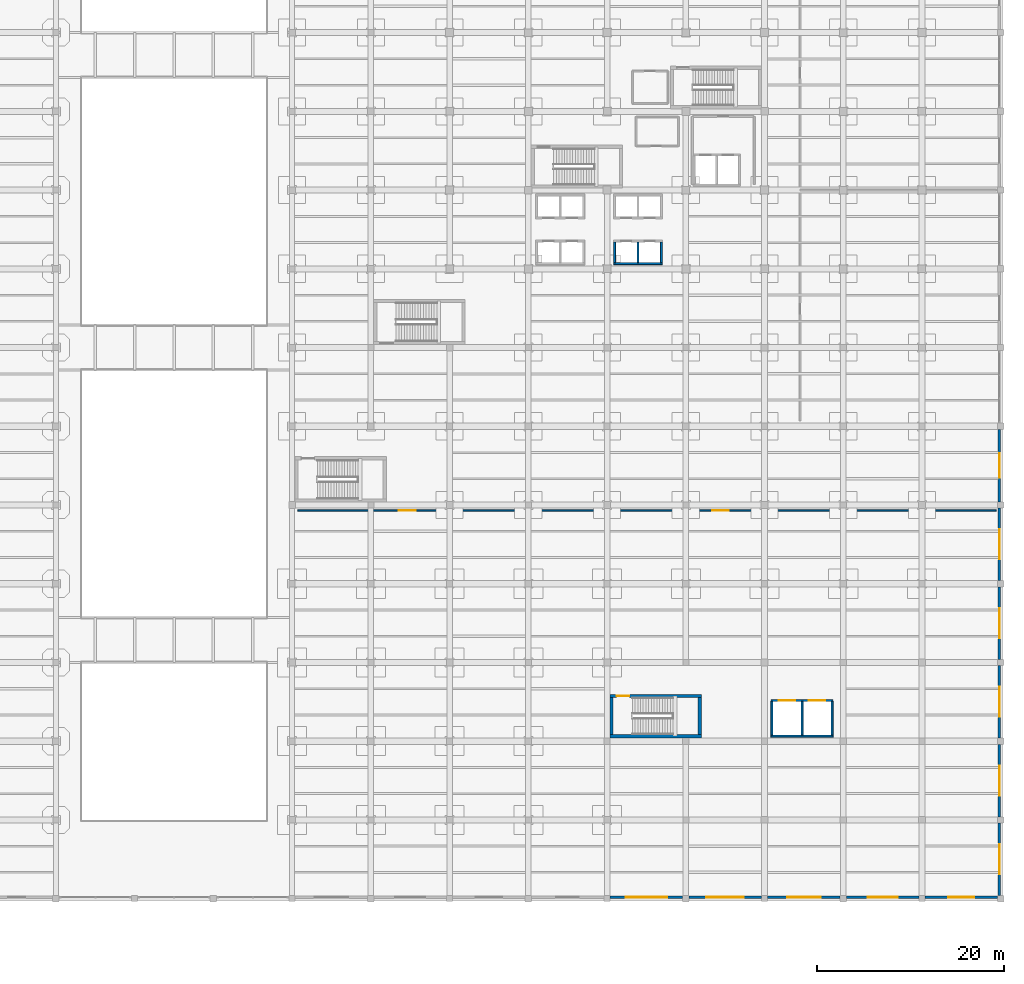
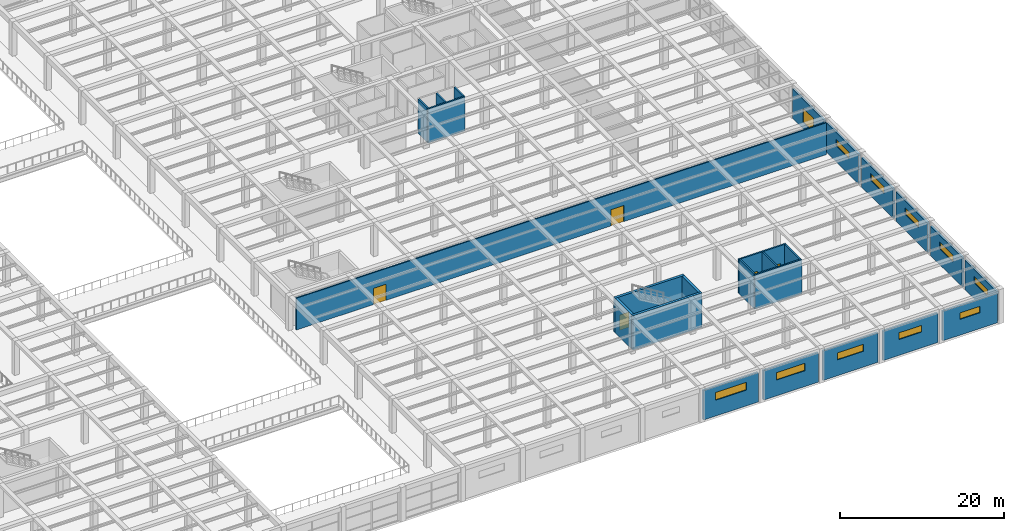
# One storey, part 81 of 96: 25 walls, 11 windows, 5 doors, 16 openings.
"""IFC4 building model written with IfcOpenShell, lengths in metres."""

from ifc_helpers import new_model, si_unit, direction, frame, frame_2d, origin, place, context, subcontext, project, spatial, rectangle, extrude, material, layer, layer_set, type_object, element, fill, save


model = new_model("IFC4")

# Units and contexts
model_context = context("Model", 3, precision=1e-05, world=origin(), true_north=direction((0.0, 1.0)))
body_context = subcontext(model_context, "Body", "Model", "MODEL_VIEW")
ifc_project = project(units=[si_unit("LENGTHUNIT", "METRE"), si_unit("AREAUNIT", "SQUARE_METRE"), si_unit("VOLUMEUNIT", "CUBIC_METRE"), si_unit("PLANEANGLEUNIT", "RADIAN"), si_unit("MASSUNIT", "GRAM", prefix="KILO")], contexts=[model_context])

# Site, building, storey
site_placement = place(None, origin())
site = spatial("IfcSite", under=ifc_project, at=site_placement, CompositionType="ELEMENT")
building_placement = place(site_placement, origin())
building = spatial("IfcBuilding", under=site, at=building_placement, Name="Almacenes y Pasaje Nevantli", CompositionType="ELEMENT")
storey_placement = place(building_placement, frame((0.0, 0.0, 6.0)))
storey = spatial("IfcBuildingStorey", under=building, at=storey_placement, Name="L02", CompositionType="ELEMENT", Elevation=6.0)

# Wall, openings, doors
ifc_material_1 = material(Name="Insulated Double-Gypsum Fire Partition", Category="gypsum")
ifc_layer_1 = layer(ifc_material_1, 0.179931640625)
ifc_layer_set_1 = layer_set([ifc_layer_1], Name="Insulated Double-Gypsum Fire Partition")
wall_type_1 = type_object("IfcWallType", Name="WL-COMP-180", PredefinedType="PARTITIONING", material=ifc_layer_set_1)
wall_1_placement = place(storey_placement, frame((93.0, 41.39990234375, 0.0), z_axis=(0.0, 0.0, 1.0), x_axis=(1.0, 0.0, 0.0)))
wall_1 = element("IfcWall", 1, at=wall_1_placement, inside=storey, type_object=wall_type_1, Name="L02 Interior Partition Wall IW-180 #65", PredefinedType="PARTITIONING", context=body_context, shape_type="SweptSolid", body=[
    extrude(rectangle(XDim=74.5, YDim=0.179931640625, at=frame_2d((37.25, 0.0))), origin(), (0.0, 0.0, 1.0), 4.719970703125),
])
opening_1_placement = place(wall_1_placement, frame((10.800048828125, 0.0, 0.0)))
opening_1 = element("IfcOpeningElement", 2, at=opening_1_placement, cuts=wall_1, Name="Opening ID-L02-030", PredefinedType="OPENING", context=body_context, shape_type="SweptSolid", body=[
    extrude(rectangle(XDim=1.800048828125, YDim=2.39990234375, at=frame_2d((0.89990234375, 1.199951171875))), frame((0.0, 0.099853515625, 0.0), z_axis=(0.0, -1.0, 0.0), x_axis=(1.0, 0.0, 0.0)), (0.0, 0.0, 1.0), 0.199951171875),
])
opening_2_placement = place(wall_1_placement, frame((44.199951171875, 0.0, 0.0)))
opening_2 = element("IfcOpeningElement", 3, at=opening_2_placement, cuts=wall_1, Name="Opening ID-L02-031", PredefinedType="OPENING", context=body_context, shape_type="SweptSolid", body=[
    extrude(rectangle(XDim=1.800048828125, YDim=2.39990234375, at=frame_2d((0.89990234375, 1.199951171875))), frame((0.0, 0.099853515625, 0.0), z_axis=(0.0, -1.0, 0.0), x_axis=(1.0, 0.0, 0.0)), (0.0, 0.0, 1.0), 0.199951171875),
])
ifc_material_2 = material(Name="Galvanized Fire-Rated Steel", Category="steel")
door_type_1 = type_object("IfcDoorType", Name="DR-FD60-1800", OperationType="DOUBLE_DOOR_SINGLE_SWING", PredefinedType="DOOR", material=ifc_material_2)
door_1_placement = place(opening_1_placement, origin())
door_1 = element("IfcDoor", 4, at=door_1_placement, inside=storey, type_object=door_type_1, Name="L02 L02 Stockroom Double Door 1", OperationType="DOUBLE_DOOR_SINGLE_SWING", OverallHeight=2.39990234375, OverallWidth=1.800048828125, PredefinedType="DOOR", context=body_context, shape_type="SweptSolid", body=[
    extrude(rectangle(XDim=1.800048828125, YDim=2.39990234375, at=frame_2d((0.89990234375, 1.199951171875))), frame((0.0, 0.02490234375, 0.0), z_axis=(0.0, -1.0, 0.0), x_axis=(1.0, 0.0, 0.0)), (0.0, 0.0, 1.0), 0.050048828125),
])
fill(opening_1, door_1)
door_2_placement = place(opening_2_placement, origin())
door_2 = element("IfcDoor", 5, at=door_2_placement, inside=storey, type_object=door_type_1, Name="L02 L02 Stockroom Double Door 2", OperationType="DOUBLE_DOOR_SINGLE_SWING", OverallHeight=2.39990234375, OverallWidth=1.800048828125, PredefinedType="DOOR", context=body_context, shape_type="SweptSolid", body=[
    extrude(rectangle(XDim=1.800048828125, YDim=2.39990234375, at=frame_2d((0.89990234375, 1.199951171875))), frame((0.0, 0.02490234375, 0.0), z_axis=(0.0, -1.0, 0.0), x_axis=(1.0, 0.0, 0.0)), (0.0, 0.0, 1.0), 0.050048828125),
])
fill(opening_2, door_2)

# Wall
ifc_material_3 = material(Name="Concrete C45/55", Category="concrete")
ifc_layer_2 = layer(ifc_material_3, 0.35009765625)
ifc_layer_set_2 = layer_set([ifc_layer_2], Name="Concrete C45/55")
wall_type_2 = type_object("IfcWallType", Name="WL-CORE-350", PredefinedType="SHEAR", material=ifc_layer_set_2)
wall_2_placement = place(storey_placement, frame((126.300048828125, 17.324951171875, 0.0), z_axis=(0.0, 0.0, 1.0), x_axis=(1.0, 0.0, 0.0)))
element("IfcWall", 6, at=wall_2_placement, inside=storey, type_object=wall_type_2, Name="L02 Exit Stair ST-06 South Core Shear Wall", PredefinedType="SHEAR", context=body_context, shape_type="SweptSolid", body=[
    extrude(rectangle(XDim=9.75, YDim=0.35009765625, at=frame_2d((4.875, 0.0))), origin(), (0.0, 0.0, 1.0), 5.10009765625),
])

# Wall, opening, door
wall_3_placement = place(storey_placement, frame((126.300048828125, 21.625, 0.0), z_axis=(0.0, 0.0, 1.0), x_axis=(1.0, 0.0, 0.0)))
wall_3 = element("IfcWall", 7, at=wall_3_placement, inside=storey, type_object=wall_type_2, Name="L02 Exit Stair ST-06 North Core Shear Wall", PredefinedType="SHEAR", context=body_context, shape_type="SweptSolid", body=[
    extrude(rectangle(XDim=9.75, YDim=0.35009765625, at=frame_2d((4.875, 0.0))), origin(), (0.0, 0.0, 1.0), 5.10009765625),
])
opening_3_placement = place(wall_3_placement, frame((0.719970703125, 0.0, 0.0)))
opening_3 = element("IfcOpeningElement", 8, at=opening_3_placement, cuts=wall_3, Name="Opening SD-06-L02", PredefinedType="OPENING", context=body_context, shape_type="SweptSolid", body=[
    extrude(rectangle(XDim=1.35009765625, YDim=2.25, at=frame_2d((0.675048828125, 1.125))), frame((0.0, 0.18505859375, 0.0), z_axis=(0.0, -1.0, 0.0), x_axis=(1.0, 0.0, 0.0)), (0.0, 0.0, 1.0), 0.3701171875),
])
ifc_material_4 = material(Name="Galvanized Fire-Rated Steel", Category="steel")
door_type_2 = type_object("IfcDoorType", Name="DR-STAIR-1350R", OperationType="SINGLE_SWING_RIGHT", PredefinedType="DOOR", material=ifc_material_4)
door_3_placement = place(opening_3_placement, origin())
door_3 = element("IfcDoor", 9, at=door_3_placement, inside=storey, type_object=door_type_2, Name="L02 Smokeproof Exit Stair ST-06 Fire Door", OperationType="SINGLE_SWING_RIGHT", OverallHeight=2.25, OverallWidth=1.35009765625, PredefinedType="DOOR", context=body_context, shape_type="SweptSolid", body=[
    extrude(rectangle(XDim=1.35009765625, YDim=2.25, at=frame_2d((0.675048828125, 1.125))), frame((0.0, 0.02490234375, 0.0), z_axis=(0.0, -1.0, 0.0), x_axis=(1.0, 0.0, 0.0)), (0.0, 0.0, 1.0), 0.050048828125),
])
fill(opening_3, door_3)

# Walls
for number, where, z_axis, x_axis, name in (
    (10, (126.47509765625, 17.5, 0.0), (0.0, 0.0, 1.0), (0.0, 1.0, 0.0), "L02 Exit Stair ST-06 West Core Shear Wall"),
    (11, (135.875, 17.5, 0.0), (0.0, 0.0, 1.0), (0.0, 1.0, 0.0), "L02 Exit Stair ST-06 East Core Shear Wall"),
):
    element("IfcWall", number, at=place(storey_placement, frame(where, z_axis=z_axis, x_axis=x_axis)), inside=storey, type_object=wall_type_2, Name=name, PredefinedType="SHEAR", context=body_context, shape_type="SweptSolid", body=[
        extrude(rectangle(XDim=3.949951171875, YDim=0.35009765625, at=frame_2d((1.97509765625, 0.0))), origin(), (0.0, 0.0, 1.0), 5.10009765625),
    ])

# Wall, opening, window
ifc_material_5 = material(Name="Architectural Precast Concrete C35/45 Spandrel Wall", Category="concrete")
ifc_layer_3 = layer(ifc_material_5, 0.280029296875)
ifc_layer_set_3 = layer_set([ifc_layer_3], Name="Architectural Precast Concrete C35/45 Spandrel Wall")
wall_type_3 = type_object("IfcWallType", Name="WL-EXT-CANTERA-280", PredefinedType="SOLIDWALL", material=ifc_layer_set_3)
wall_4_placement = place(storey_placement, frame((126.327880859375, 0.14990234375, 0.0), z_axis=(0.0, 0.0, 1.0), x_axis=(1.0, 0.0, 0.0)))
wall_4 = element("IfcWall", 12, at=wall_4_placement, inside=storey, type_object=wall_type_3, Name="L02 South Stockroom Clerestory Wall Bay 16", PredefinedType="SOLIDWALL", context=body_context, shape_type="SweptSolid", body=[
    extrude(rectangle(XDim=7.72021484375, YDim=0.280029296875, at=frame_2d((3.860107421875, 0.0))), origin(), (0.0, 0.0, 1.0), 4.3798828125),
])
opening_4_placement = place(wall_4_placement, frame((1.672119140625, 0.0, 2.35009765625)))
opening_4 = element("IfcOpeningElement", 13, at=opening_4_placement, cuts=wall_4, Name="Opening WT-20-070", PredefinedType="OPENING", context=body_context, shape_type="SweptSolid", body=[
    extrude(rectangle(XDim=4.39990234375, YDim=1.14990234375, at=frame_2d((2.199951171875, 0.574951171875))), frame((0.0, 0.14990234375, 0.0), z_axis=(0.0, -1.0, 0.0), x_axis=(1.0, 0.0, 0.0)), (0.0, 0.0, 1.0), 0.300048828125),
])
ifc_material_6 = material(Name="Thermally Broken Aluminium and Low-E Double Glazing", Category="aluminium")
window_type_1 = type_object("IfcWindowType", Name="WN-CLR-4400x1150", PartitioningType="SINGLE_PANEL", PredefinedType="WINDOW", material=ifc_material_6)
window_1_placement = place(opening_4_placement, origin())
window_1 = element("IfcWindow", 14, at=window_1_placement, inside=storey, type_object=window_type_1, Name="L02 Exterior Window WT-20 #70", OverallHeight=1.14990234375, OverallWidth=4.39990234375, PartitioningType="SINGLE_PANEL", PredefinedType="WINDOW", context=body_context, shape_type="SweptSolid", body=[
    extrude(rectangle(XDim=4.39990234375, YDim=1.14990234375, at=frame_2d((2.199951171875, 0.574951171875))), frame((0.0, 0.030029296875, 0.0), z_axis=(0.0, -1.0, 0.0), x_axis=(1.0, 0.0, 0.0)), (0.0, 0.0, 1.0), 0.06005859375),
])
fill(opening_4, window_1)

wall_5_placement = place(storey_placement, frame((134.75390625, 0.14990234375, 0.0), z_axis=(0.0, 0.0, 1.0), x_axis=(1.0, 0.0, 0.0)))
wall_5 = element("IfcWall", 15, at=wall_5_placement, inside=storey, type_object=wall_type_3, Name="L02 South Stockroom Clerestory Wall Bay 17", PredefinedType="SOLIDWALL", context=body_context, shape_type="SweptSolid", body=[
    extrude(rectangle(XDim=7.718017578125, YDim=0.280029296875, at=frame_2d((3.85888671875, 0.0))), origin(), (0.0, 0.0, 1.0), 4.3798828125),
])
opening_5_placement = place(wall_5_placement, frame((1.845947265625, 0.0, 2.35009765625)))
opening_5 = element("IfcOpeningElement", 16, at=opening_5_placement, cuts=wall_5, Name="Opening WT-21-071", PredefinedType="OPENING", context=body_context, shape_type="SweptSolid", body=[
    extrude(rectangle(XDim=4.0, YDim=1.10009765625, at=frame_2d((2.0, 0.550048828125))), frame((0.0, 0.14990234375, 0.0), z_axis=(0.0, -1.0, 0.0), x_axis=(1.0, 0.0, 0.0)), (0.0, 0.0, 1.0), 0.300048828125),
])
ifc_material_7 = material(Name="Thermally Broken Aluminium and Low-E Double Glazing", Category="aluminium")
window_type_2 = type_object("IfcWindowType", Name="WN-CLR-4000x1100", PartitioningType="SINGLE_PANEL", PredefinedType="WINDOW", material=ifc_material_7)
window_2_placement = place(opening_5_placement, origin())
window_2 = element("IfcWindow", 17, at=window_2_placement, inside=storey, type_object=window_type_2, Name="L02 Exterior Window WT-21 #71", OverallHeight=1.10009765625, OverallWidth=4.0, PartitioningType="SINGLE_PANEL", PredefinedType="WINDOW", context=body_context, shape_type="SweptSolid", body=[
    extrude(rectangle(XDim=4.0, YDim=1.10009765625, at=frame_2d((2.0, 0.550048828125))), frame((0.0, 0.030029296875, 0.0), z_axis=(0.0, -1.0, 0.0), x_axis=(1.0, 0.0, 0.0)), (0.0, 0.0, 1.0), 0.06005859375),
])
fill(opening_5, window_2)

wall_6_placement = place(storey_placement, frame((143.1279296875, 0.14990234375, 0.0), z_axis=(0.0, 0.0, 1.0), x_axis=(1.0, 0.0, 0.0)))
wall_6 = element("IfcWall", 18, at=wall_6_placement, inside=storey, type_object=wall_type_3, Name="L02 South Stockroom Clerestory Wall Bay 18", PredefinedType="SOLIDWALL", context=body_context, shape_type="SweptSolid", body=[
    extrude(rectangle(XDim=7.718017578125, YDim=0.280029296875, at=frame_2d((3.85888671875, 0.0))), origin(), (0.0, 0.0, 1.0), 4.3798828125),
])
opening_6_placement = place(wall_6_placement, frame((2.072021484375, 0.0, 2.35009765625)))
opening_6 = element("IfcOpeningElement", 19, at=opening_6_placement, cuts=wall_6, Name="Opening WT-22-072", PredefinedType="OPENING", context=body_context, shape_type="SweptSolid", body=[
    extrude(rectangle(XDim=3.60009765625, YDim=1.050048828125, at=frame_2d((1.800048828125, 0.52490234375))), frame((0.0, 0.14990234375, 0.0), z_axis=(0.0, -1.0, 0.0), x_axis=(1.0, 0.0, 0.0)), (0.0, 0.0, 1.0), 0.300048828125),
])
ifc_material_8 = material(Name="Thermally Broken Aluminium and Low-E Double Glazing", Category="aluminium")
window_type_3 = type_object("IfcWindowType", Name="WN-CLR-3600x1050", PartitioningType="SINGLE_PANEL", PredefinedType="WINDOW", material=ifc_material_8)
window_3_placement = place(opening_6_placement, origin())
window_3 = element("IfcWindow", 20, at=window_3_placement, inside=storey, type_object=window_type_3, Name="L02 Exterior Window WT-22 #72", OverallHeight=1.050048828125, OverallWidth=3.60009765625, PartitioningType="SINGLE_PANEL", PredefinedType="WINDOW", context=body_context, shape_type="SweptSolid", body=[
    extrude(rectangle(XDim=3.60009765625, YDim=1.050048828125, at=frame_2d((1.800048828125, 0.52490234375))), frame((0.0, 0.030029296875, 0.0), z_axis=(0.0, -1.0, 0.0), x_axis=(1.0, 0.0, 0.0)), (0.0, 0.0, 1.0), 0.06005859375),
])
fill(opening_6, window_3)

wall_7_placement = place(storey_placement, frame((151.552001953125, 0.14990234375, 0.0), z_axis=(0.0, 0.0, 1.0), x_axis=(1.0, 0.0, 0.0)))
wall_7 = element("IfcWall", 21, at=wall_7_placement, inside=storey, type_object=wall_type_3, Name="L02 South Stockroom Clerestory Wall Bay 19", PredefinedType="SOLIDWALL", context=body_context, shape_type="SweptSolid", body=[
    extrude(rectangle(XDim=7.719970703125, YDim=0.280029296875, at=frame_2d((3.85986328125, 0.0))), origin(), (0.0, 0.0, 1.0), 4.3798828125),
])
opening_7_placement = place(wall_7_placement, frame((2.248046875, 0.0, 2.35009765625)))
opening_7 = element("IfcOpeningElement", 22, at=opening_7_placement, cuts=wall_7, Name="Opening WT-23-073", PredefinedType="OPENING", context=body_context, shape_type="SweptSolid", body=[
    extrude(rectangle(XDim=3.199951171875, YDim=1.0, at=frame_2d((1.60009765625, 0.5))), frame((0.0, 0.14990234375, 0.0), z_axis=(0.0, -1.0, 0.0), x_axis=(1.0, 0.0, 0.0)), (0.0, 0.0, 1.0), 0.300048828125),
])
ifc_material_9 = material(Name="Thermally Broken Aluminium and Low-E Double Glazing", Category="aluminium")
window_type_4 = type_object("IfcWindowType", Name="WN-CLR-3200x1000", PartitioningType="SINGLE_PANEL", PredefinedType="WINDOW", material=ifc_material_9)
window_4_placement = place(opening_7_placement, origin())
window_4 = element("IfcWindow", 23, at=window_4_placement, inside=storey, type_object=window_type_4, Name="L02 Exterior Window WT-23 #73", OverallHeight=1.0, OverallWidth=3.199951171875, PartitioningType="SINGLE_PANEL", PredefinedType="WINDOW", context=body_context, shape_type="SweptSolid", body=[
    extrude(rectangle(XDim=3.199951171875, YDim=1.0, at=frame_2d((1.60009765625, 0.5))), frame((0.0, 0.030029296875, 0.0), z_axis=(0.0, -1.0, 0.0), x_axis=(1.0, 0.0, 0.0)), (0.0, 0.0, 1.0), 0.06005859375),
])
fill(opening_7, window_4)

wall_8_placement = place(storey_placement, frame((159.927978515625, 0.14990234375, 0.0), z_axis=(0.0, 0.0, 1.0), x_axis=(1.0, 0.0, 0.0)))
wall_8 = element("IfcWall", 24, at=wall_8_placement, inside=storey, type_object=wall_type_3, Name="L02 South Stockroom Clerestory Wall Bay 20", PredefinedType="SOLIDWALL", context=body_context, shape_type="SweptSolid", body=[
    extrude(rectangle(XDim=7.718017578125, YDim=0.280029296875, at=frame_2d((3.85888671875, 0.0))), origin(), (0.0, 0.0, 1.0), 4.3798828125),
])
opening_8_placement = place(wall_8_placement, frame((2.471923828125, 0.0, 2.35009765625)))
opening_8 = element("IfcOpeningElement", 25, at=opening_8_placement, cuts=wall_8, Name="Opening WT-24-074", PredefinedType="OPENING", context=body_context, shape_type="SweptSolid", body=[
    extrude(rectangle(XDim=2.800048828125, YDim=0.949951171875, at=frame_2d((1.39990234375, 0.47509765625))), frame((0.0, 0.14990234375, 0.0), z_axis=(0.0, -1.0, 0.0), x_axis=(1.0, 0.0, 0.0)), (0.0, 0.0, 1.0), 0.300048828125),
])
ifc_material_10 = material(Name="Thermally Broken Aluminium and Low-E Double Glazing", Category="aluminium")
window_type_5 = type_object("IfcWindowType", Name="WN-CLR-2800x0950", PartitioningType="SINGLE_PANEL", PredefinedType="WINDOW", material=ifc_material_10)
window_5_placement = place(opening_8_placement, origin())
window_5 = element("IfcWindow", 26, at=window_5_placement, inside=storey, type_object=window_type_5, Name="L02 Exterior Window WT-24 #74", OverallHeight=0.949951171875, OverallWidth=2.800048828125, PartitioningType="SINGLE_PANEL", PredefinedType="WINDOW", context=body_context, shape_type="SweptSolid", body=[
    extrude(rectangle(XDim=2.800048828125, YDim=0.949951171875, at=frame_2d((1.39990234375, 0.47509765625))), frame((0.0, 0.030029296875, 0.0), z_axis=(0.0, -1.0, 0.0), x_axis=(1.0, 0.0, 0.0)), (0.0, 0.0, 1.0), 0.06005859375),
])
fill(opening_8, window_5)

wall_9_placement = place(storey_placement, frame((167.85009765625, 0.35400390625, 0.0), z_axis=(0.0, 0.0, 1.0), x_axis=(0.0, 1.0, 0.0)))
wall_9 = element("IfcWall", 27, at=wall_9_placement, inside=storey, type_object=wall_type_3, Name="L02 East Facade Wall Bay 1", PredefinedType="SOLIDWALL", context=body_context, shape_type="SweptSolid", body=[
    extrude(rectangle(XDim=7.718017578125, YDim=0.280029296875, at=frame_2d((3.85888671875, 0.0))), origin(), (0.0, 0.0, 1.0), 4.3798828125),
])
opening_9_placement = place(wall_9_placement, frame((2.24609375, 0.0, 2.35009765625)))
opening_9 = element("IfcOpeningElement", 28, at=opening_9_placement, cuts=wall_9, Name="Opening WT-23-080", PredefinedType="OPENING", context=body_context, shape_type="SweptSolid", body=[
    extrude(rectangle(XDim=3.199951171875, YDim=1.0, at=frame_2d((1.60009765625, 0.5))), frame((0.0, 0.14990234375, 0.0), z_axis=(0.0, -1.0, 0.0), x_axis=(1.0, 0.0, 0.0)), (0.0, 0.0, 1.0), 0.300048828125),
])
window_6_placement = place(opening_9_placement, origin())
window_6 = element("IfcWindow", 29, at=window_6_placement, inside=storey, type_object=window_type_4, Name="L02 Exterior Window WT-23 #80", OverallHeight=1.0, OverallWidth=3.199951171875, PartitioningType="SINGLE_PANEL", PredefinedType="WINDOW", context=body_context, shape_type="SweptSolid", body=[
    extrude(rectangle(XDim=3.199951171875, YDim=1.0, at=frame_2d((1.60009765625, 0.5))), frame((0.0, 0.030029296875, 0.0), z_axis=(0.0, -1.0, 0.0), x_axis=(1.0, 0.0, 0.0)), (0.0, 0.0, 1.0), 0.06005859375),
])
fill(opening_9, window_6)

wall_10_placement = place(storey_placement, frame((167.85009765625, 8.72802734375, 0.0), z_axis=(0.0, 0.0, 1.0), x_axis=(0.0, 1.0, 0.0)))
wall_10 = element("IfcWall", 30, at=wall_10_placement, inside=storey, type_object=wall_type_3, Name="L02 East Facade Wall Bay 2", PredefinedType="SOLIDWALL", context=body_context, shape_type="SweptSolid", body=[
    extrude(rectangle(XDim=7.718017578125, YDim=0.280029296875, at=frame_2d((3.85888671875, 0.0))), origin(), (0.0, 0.0, 1.0), 4.3798828125),
])
opening_10_placement = place(wall_10_placement, frame((2.27197265625, 0.0, 2.35009765625)))
opening_10 = element("IfcOpeningElement", 31, at=opening_10_placement, cuts=wall_10, Name="Opening WT-23-081", PredefinedType="OPENING", context=body_context, shape_type="SweptSolid", body=[
    extrude(rectangle(XDim=3.199951171875, YDim=1.0, at=frame_2d((1.60009765625, 0.5))), frame((0.0, 0.14990234375, 0.0), z_axis=(0.0, -1.0, 0.0), x_axis=(1.0, 0.0, 0.0)), (0.0, 0.0, 1.0), 0.300048828125),
])
window_7_placement = place(opening_10_placement, origin())
window_7 = element("IfcWindow", 32, at=window_7_placement, inside=storey, type_object=window_type_4, Name="L02 Exterior Window WT-23 #81", OverallHeight=1.0, OverallWidth=3.199951171875, PartitioningType="SINGLE_PANEL", PredefinedType="WINDOW", context=body_context, shape_type="SweptSolid", body=[
    extrude(rectangle(XDim=3.199951171875, YDim=1.0, at=frame_2d((1.60009765625, 0.5))), frame((0.0, 0.030029296875, 0.0), z_axis=(0.0, -1.0, 0.0), x_axis=(1.0, 0.0, 0.0)), (0.0, 0.0, 1.0), 0.06005859375),
])
fill(opening_10, window_7)

wall_11_placement = place(storey_placement, frame((167.85009765625, 17.154052734375, 0.0), z_axis=(0.0, 0.0, 1.0), x_axis=(0.0, 1.0, 0.0)))
wall_11 = element("IfcWall", 33, at=wall_11_placement, inside=storey, type_object=wall_type_3, Name="L02 East Facade Wall Bay 3", PredefinedType="SOLIDWALL", context=body_context, shape_type="SweptSolid", body=[
    extrude(rectangle(XDim=7.718017578125, YDim=0.280029296875, at=frame_2d((3.85888671875, 0.0))), origin(), (0.0, 0.0, 1.0), 4.3798828125),
])
opening_11_placement = place(wall_11_placement, frame((2.24609375, 0.0, 2.35009765625)))
opening_11 = element("IfcOpeningElement", 34, at=opening_11_placement, cuts=wall_11, Name="Opening WT-23-082", PredefinedType="OPENING", context=body_context, shape_type="SweptSolid", body=[
    extrude(rectangle(XDim=3.199951171875, YDim=1.0, at=frame_2d((1.60009765625, 0.5))), frame((0.0, 0.14990234375, 0.0), z_axis=(0.0, -1.0, 0.0), x_axis=(1.0, 0.0, 0.0)), (0.0, 0.0, 1.0), 0.300048828125),
])
window_8_placement = place(opening_11_placement, origin())
window_8 = element("IfcWindow", 35, at=window_8_placement, inside=storey, type_object=window_type_4, Name="L02 Exterior Window WT-23 #82", OverallHeight=1.0, OverallWidth=3.199951171875, PartitioningType="SINGLE_PANEL", PredefinedType="WINDOW", context=body_context, shape_type="SweptSolid", body=[
    extrude(rectangle(XDim=3.199951171875, YDim=1.0, at=frame_2d((1.60009765625, 0.5))), frame((0.0, 0.030029296875, 0.0), z_axis=(0.0, -1.0, 0.0), x_axis=(1.0, 0.0, 0.0)), (0.0, 0.0, 1.0), 0.06005859375),
])
fill(opening_11, window_8)

wall_12_placement = place(storey_placement, frame((167.85009765625, 25.528076171875, 0.0), z_axis=(0.0, 0.0, 1.0), x_axis=(0.0, 1.0, 0.0)))
wall_12 = element("IfcWall", 36, at=wall_12_placement, inside=storey, type_object=wall_type_3, Name="L02 East Facade Wall Bay 4", PredefinedType="SOLIDWALL", context=body_context, shape_type="SweptSolid", body=[
    extrude(rectangle(XDim=7.719970703125, YDim=0.280029296875, at=frame_2d((3.85986328125, 0.0))), origin(), (0.0, 0.0, 1.0), 4.3798828125),
])
opening_12_placement = place(wall_12_placement, frame((2.27197265625, 0.0, 2.35009765625)))
opening_12 = element("IfcOpeningElement", 37, at=opening_12_placement, cuts=wall_12, Name="Opening WT-23-083", PredefinedType="OPENING", context=body_context, shape_type="SweptSolid", body=[
    extrude(rectangle(XDim=3.199951171875, YDim=1.0, at=frame_2d((1.60009765625, 0.5))), frame((0.0, 0.14990234375, 0.0), z_axis=(0.0, -1.0, 0.0), x_axis=(1.0, 0.0, 0.0)), (0.0, 0.0, 1.0), 0.300048828125),
])
window_9_placement = place(opening_12_placement, origin())
window_9 = element("IfcWindow", 38, at=window_9_placement, inside=storey, type_object=window_type_4, Name="L02 Exterior Window WT-23 #83", OverallHeight=1.0, OverallWidth=3.199951171875, PartitioningType="SINGLE_PANEL", PredefinedType="WINDOW", context=body_context, shape_type="SweptSolid", body=[
    extrude(rectangle(XDim=3.199951171875, YDim=1.0, at=frame_2d((1.60009765625, 0.5))), frame((0.0, 0.030029296875, 0.0), z_axis=(0.0, -1.0, 0.0), x_axis=(1.0, 0.0, 0.0)), (0.0, 0.0, 1.0), 0.06005859375),
])
fill(opening_12, window_9)

wall_13_placement = place(storey_placement, frame((167.85009765625, 33.9541015625, 0.0), z_axis=(0.0, 0.0, 1.0), x_axis=(0.0, 1.0, 0.0)))
wall_13 = element("IfcWall", 39, at=wall_13_placement, inside=storey, type_object=wall_type_3, Name="L02 East Facade Wall Bay 5", PredefinedType="SOLIDWALL", context=body_context, shape_type="SweptSolid", body=[
    extrude(rectangle(XDim=7.718017578125, YDim=0.280029296875, at=frame_2d((3.85888671875, 0.0))), origin(), (0.0, 0.0, 1.0), 4.3798828125),
])
opening_13_placement = place(wall_13_placement, frame((2.24609375, 0.0, 2.35009765625)))
opening_13 = element("IfcOpeningElement", 40, at=opening_13_placement, cuts=wall_13, Name="Opening WT-23-084", PredefinedType="OPENING", context=body_context, shape_type="SweptSolid", body=[
    extrude(rectangle(XDim=3.199951171875, YDim=1.0, at=frame_2d((1.60009765625, 0.5))), frame((0.0, 0.14990234375, 0.0), z_axis=(0.0, -1.0, 0.0), x_axis=(1.0, 0.0, 0.0)), (0.0, 0.0, 1.0), 0.300048828125),
])
window_10_placement = place(opening_13_placement, origin())
window_10 = element("IfcWindow", 41, at=window_10_placement, inside=storey, type_object=window_type_4, Name="L02 Exterior Window WT-23 #84", OverallHeight=1.0, OverallWidth=3.199951171875, PartitioningType="SINGLE_PANEL", PredefinedType="WINDOW", context=body_context, shape_type="SweptSolid", body=[
    extrude(rectangle(XDim=3.199951171875, YDim=1.0, at=frame_2d((1.60009765625, 0.5))), frame((0.0, 0.030029296875, 0.0), z_axis=(0.0, -1.0, 0.0), x_axis=(1.0, 0.0, 0.0)), (0.0, 0.0, 1.0), 0.06005859375),
])
fill(opening_13, window_10)

wall_14_placement = place(storey_placement, frame((167.85009765625, 42.327880859375, 0.0), z_axis=(0.0, 0.0, 1.0), x_axis=(0.0, 1.0, 0.0)))
wall_14 = element("IfcWall", 42, at=wall_14_placement, inside=storey, type_object=wall_type_3, Name="L02 East Facade Wall Bay 6", PredefinedType="SOLIDWALL", context=body_context, shape_type="SweptSolid", body=[
    extrude(rectangle(XDim=7.718017578125, YDim=0.280029296875, at=frame_2d((3.85888671875, 0.0))), origin(), (0.0, 0.0, 1.0), 4.3798828125),
])
opening_14_placement = place(wall_14_placement, frame((2.572021484375, 0.0, 1.0)))
opening_14 = element("IfcOpeningElement", 43, at=opening_14_placement, cuts=wall_14, Name="Opening WT-13-085", PredefinedType="OPENING", context=body_context, shape_type="SweptSolid", body=[
    extrude(rectangle(XDim=2.60009765625, YDim=2.10009765625, at=frame_2d((1.300048828125, 1.050048828125))), frame((0.0, 0.14990234375, 0.0), z_axis=(0.0, -1.0, 0.0), x_axis=(1.0, 0.0, 0.0)), (0.0, 0.0, 1.0), 0.300048828125),
])
ifc_material_11 = material(Name="Thermally Broken Aluminium and Low-E Double Glazing", Category="aluminium")
window_type_6 = type_object("IfcWindowType", Name="WN-POD-2600x2100", PartitioningType="SINGLE_PANEL", PredefinedType="WINDOW", material=ifc_material_11)
window_11_placement = place(opening_14_placement, origin())
window_11 = element("IfcWindow", 44, at=window_11_placement, inside=storey, type_object=window_type_6, Name="L02 Exterior Window WT-13 #85", OverallHeight=2.10009765625, OverallWidth=2.60009765625, PartitioningType="SINGLE_PANEL", PredefinedType="WINDOW", context=body_context, shape_type="SweptSolid", body=[
    extrude(rectangle(XDim=2.60009765625, YDim=2.10009765625, at=frame_2d((1.300048828125, 1.050048828125))), frame((0.0, 0.030029296875, 0.0), z_axis=(0.0, -1.0, 0.0), x_axis=(1.0, 0.0, 0.0)), (0.0, 0.0, 1.0), 0.06005859375),
])
fill(opening_14, window_11)

# Walls
ifc_material_12 = material(Name="Concrete C45/55", Category="concrete")
ifc_layer_4 = layer(ifc_material_12, 0.2099609375)
ifc_layer_set_4 = layer_set([ifc_layer_4], Name="Concrete C45/55")
wall_type_4 = type_object("IfcWallType", Name="WL-SHAFT-210", PredefinedType="SHEAR", material=ifc_layer_set_4)
wall_15_placement = place(storey_placement, frame((126.68994140625, 67.7451171875, 0.0), z_axis=(0.0, 0.0, 1.0), x_axis=(1.0, 0.0, 0.0)))
element("IfcWall", 45, at=wall_15_placement, inside=storey, type_object=wall_type_4, Name="L02 Lift Hoistway ELV-P01-ELV-P02 South Wall", PredefinedType="SHEAR", context=body_context, shape_type="SweptSolid", body=[
    extrude(rectangle(XDim=5.219970703125, YDim=0.2099609375, at=frame_2d((2.60986328125, 0.0))), origin(), (0.0, 0.0, 1.0), 5.10009765625),
])
for number, where, z_axis, x_axis, name in (
    (46, (126.794921875, 67.85009765625, 0.0), (0.0, 0.0, 1.0), (0.0, 1.0, 0.0), "L02 Lift Hoistway ELV-P01 West Wall"),
    (47, (131.804931640625, 67.85009765625, 0.0), (0.0, 0.0, 1.0), (0.0, 1.0, 0.0), "L02 Lift Hoistway ELV-P02 East Wall"),
    (48, (129.300048828125, 67.85009765625, 0.0), (0.0, 0.0, 1.0), (0.0, 1.0, 0.0), "L02 Lift Hoistway Divider Wall ELV-P01/ELV-P02"),
):
    element("IfcWall", number, at=place(storey_placement, frame(where, z_axis=z_axis, x_axis=x_axis)), inside=storey, type_object=wall_type_4, Name=name, PredefinedType="SHEAR", context=body_context, shape_type="SweptSolid", body=[
        extrude(rectangle(XDim=2.199951171875, YDim=0.2099609375, at=frame_2d((1.10009765625, 0.0))), origin(), (0.0, 0.0, 1.0), 5.10009765625),
    ])
wall_16_placement = place(storey_placement, frame((143.489990234375, 17.344970703125, 0.0), z_axis=(0.0, 0.0, 1.0), x_axis=(1.0, 0.0, 0.0)))
element("IfcWall", 49, at=wall_16_placement, inside=storey, type_object=wall_type_4, Name="L02 Lift Hoistway ELV-G01-ELV-G02 South Wall", PredefinedType="SHEAR", context=body_context, shape_type="SweptSolid", body=[
    extrude(rectangle(XDim=6.6201171875, YDim=0.2099609375, at=frame_2d((3.31005859375, 0.0))), origin(), (0.0, 0.0, 1.0), 5.10009765625),
])

# Wall, openings, doors
wall_17_placement = place(storey_placement, frame((143.489990234375, 21.155029296875, 0.0), z_axis=(0.0, 0.0, 1.0), x_axis=(1.0, 0.0, 0.0)))
wall_17 = element("IfcWall", 50, at=wall_17_placement, inside=storey, type_object=wall_type_4, Name="L02 Lift Hoistway ELV-G01-ELV-G02 North Wall", PredefinedType="SHEAR", context=body_context, shape_type="SweptSolid", body=[
    extrude(rectangle(XDim=6.6201171875, YDim=0.2099609375, at=frame_2d((3.31005859375, 0.0))), origin(), (0.0, 0.0, 1.0), 5.10009765625),
])
opening_15_placement = place(wall_17_placement, frame((0.81005859375, 0.0, 0.0)))
opening_15 = element("IfcOpeningElement", 51, at=opening_15_placement, cuts=wall_17, Name="Opening LD-G01-L02", PredefinedType="OPENING", context=body_context, shape_type="SweptSolid", body=[
    extrude(rectangle(XDim=1.800048828125, YDim=2.449951171875, at=frame_2d((0.89990234375, 1.22509765625))), frame((0.0, 0.114990234375, 0.0), z_axis=(0.0, -1.0, 0.0), x_axis=(1.0, 0.0, 0.0)), (0.0, 0.0, 1.0), 0.22998046875),
])
opening_16_placement = place(wall_17_placement, frame((4.010009765625, 0.0, 0.0)))
opening_16 = element("IfcOpeningElement", 52, at=opening_16_placement, cuts=wall_17, Name="Opening LD-G02-L02", PredefinedType="OPENING", context=body_context, shape_type="SweptSolid", body=[
    extrude(rectangle(XDim=1.800048828125, YDim=2.449951171875, at=frame_2d((0.89990234375, 1.22509765625))), frame((0.0, 0.114990234375, 0.0), z_axis=(0.0, -1.0, 0.0), x_axis=(1.0, 0.0, 0.0)), (0.0, 0.0, 1.0), 0.22998046875),
])
ifc_material_13 = material(Name="Heavy-Duty Stainless Steel", Category="steel")
door_type_3 = type_object("IfcDoorType", Name="DR-LD-GOODS-1800", OperationType="DOUBLE_DOOR_SLIDING", PredefinedType="DOOR", material=ifc_material_13)
door_4_placement = place(opening_15_placement, origin())
door_4 = element("IfcDoor", 53, at=door_4_placement, inside=storey, type_object=door_type_3, Name="Lift Landing Door ELV-G01 L02", OperationType="DOUBLE_DOOR_SLIDING", OverallHeight=2.449951171875, OverallWidth=1.800048828125, PredefinedType="DOOR", context=body_context, shape_type="SweptSolid", body=[
    extrude(rectangle(XDim=1.800048828125, YDim=2.449951171875, at=frame_2d((0.89990234375, 1.22509765625))), frame((0.0, 0.02490234375, 0.0), z_axis=(0.0, -1.0, 0.0), x_axis=(1.0, 0.0, 0.0)), (0.0, 0.0, 1.0), 0.050048828125),
])
fill(opening_15, door_4)
door_5_placement = place(opening_16_placement, origin())
door_5 = element("IfcDoor", 54, at=door_5_placement, inside=storey, type_object=door_type_3, Name="Lift Landing Door ELV-G02 L02", OperationType="DOUBLE_DOOR_SLIDING", OverallHeight=2.449951171875, OverallWidth=1.800048828125, PredefinedType="DOOR", context=body_context, shape_type="SweptSolid", body=[
    extrude(rectangle(XDim=1.800048828125, YDim=2.449951171875, at=frame_2d((0.89990234375, 1.22509765625))), frame((0.0, 0.02490234375, 0.0), z_axis=(0.0, -1.0, 0.0), x_axis=(1.0, 0.0, 0.0)), (0.0, 0.0, 1.0), 0.050048828125),
])
fill(opening_16, door_5)

# Walls
for number, where, z_axis, x_axis, name in (
    (55, (143.594970703125, 17.449951171875, 0.0), (0.0, 0.0, 1.0), (0.0, 1.0, 0.0), "L02 Lift Hoistway ELV-G01 West Wall"),
    (56, (150.0048828125, 17.449951171875, 0.0), (0.0, 0.0, 1.0), (0.0, 1.0, 0.0), "L02 Lift Hoistway ELV-G02 East Wall"),
    (57, (146.800048828125, 17.449951171875, 0.0), (0.0, 0.0, 1.0), (0.0, 1.0, 0.0), "L02 Lift Hoistway Divider Wall ELV-G01/ELV-G02"),
):
    element("IfcWall", number, at=place(storey_placement, frame(where, z_axis=z_axis, x_axis=x_axis)), inside=storey, type_object=wall_type_4, Name=name, PredefinedType="SHEAR", context=body_context, shape_type="SweptSolid", body=[
        extrude(rectangle(XDim=3.60009765625, YDim=0.2099609375, at=frame_2d((1.800048828125, 0.0))), origin(), (0.0, 0.0, 1.0), 5.10009765625),
    ])

save(model, "model.ifc")
